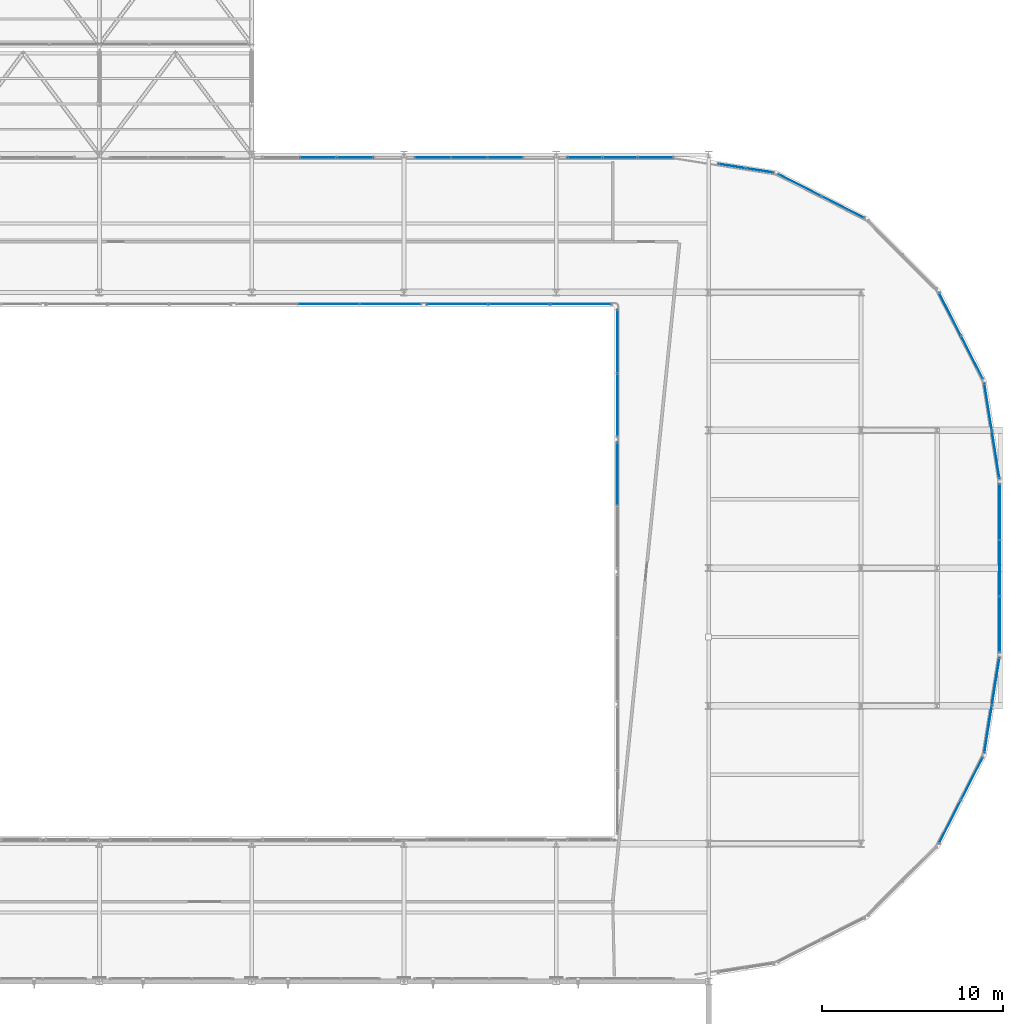
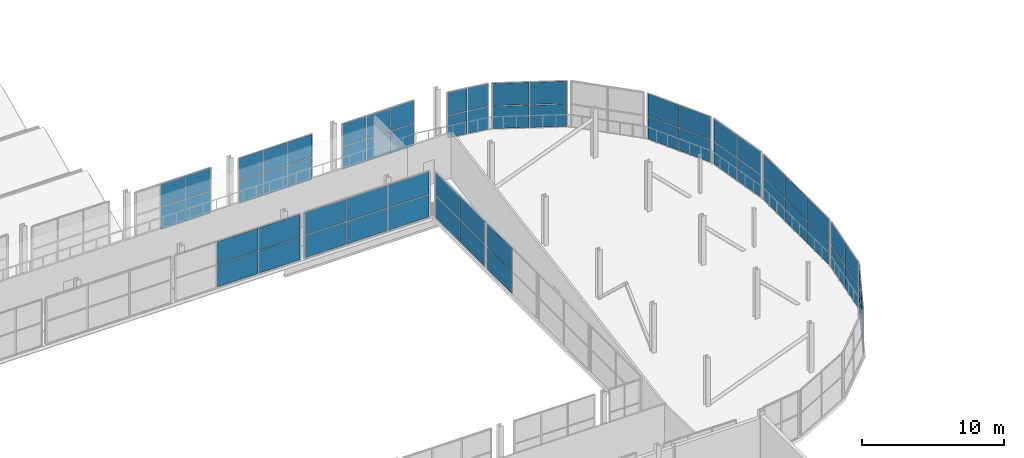
# One storey, part 174 of 217: 62 plates, 14 elements without a shape of their own.
"""IFC4 building model written with IfcOpenShell, lengths in metres."""

from ifc_helpers import new_model, si_unit, direction, frame, origin, origin_2d, place, context, subcontext, project, spatial, rectangle, extrude, material, layer, layer_set, type_object, element, aggregate, save


model = new_model("IFC4")

# Units and contexts
model_context = context("Model", 3, precision=1e-05, world=origin(), true_north=direction((0.0, 1.0)))
body_context = subcontext(model_context, "Body", "Model", "MODEL_VIEW")
ifc_project = project(units=[si_unit("LENGTHUNIT", "METRE"), si_unit("AREAUNIT", "SQUARE_METRE"), si_unit("VOLUMEUNIT", "CUBIC_METRE"), si_unit("PLANEANGLEUNIT", "RADIAN"), si_unit("MASSUNIT", "GRAM", prefix="KILO")], contexts=[model_context])

# Site, building, storey
site_placement = place(None, origin())
site = spatial("IfcSite", under=ifc_project, at=site_placement, CompositionType="ELEMENT")
building_placement = place(site_placement, origin())
building = spatial("IfcBuilding", under=site, at=building_placement, Name="Zuvorla Pavilion Media Centre", CompositionType="ELEMENT")
storey_placement = place(building_placement, frame((0.0, 0.0, 9.60009765625)))
storey = spatial("IfcBuildingStorey", under=building, at=storey_placement, Name="L02", CompositionType="ELEMENT", Elevation=9.60009765625)

# Curtain wall, plates
ifc_material_1 = material(Name="Unitised anodised aluminium and solar glass curtain wall", Category="aluminium")
curtain_wall_type_1 = type_object("IfcCurtainWallType", Name="CW-SYS-04", PredefinedType="USERDEFINED", material=ifc_material_1)
curtain_wall_1_placement = place(storey_placement, origin())
curtain_wall_1 = element("IfcCurtainWall", 1, at=curtain_wall_1_placement, inside=storey, type_object=curtain_wall_type_1, Name="L02 curtain wall CW04 4", ObjectType="CURTAIN WALL", PredefinedType="USERDEFINED")
ifc_material_2 = material(Name="Solar control double glazing", Category="glass")
ifc_layer_1 = layer(ifc_material_2, 0.028076171875)
ifc_layer_set_1 = layer_set([ifc_layer_1], Name="Solar control double glazing")
plate_type_1 = type_object("IfcPlateType", Name="CW-PNL-28", PredefinedType="CURTAIN_PANEL", material=ifc_layer_set_1)
plate_1_placement = place(storey_placement, frame((172.512939453125, 52.80908203125, 0.02978515625), z_axis=(0.0, 0.0, 1.0), x_axis=(0.453985852193, 0.891008892216, 0.0)))
plate_1 = element("IfcPlate", 2, at=plate_1_placement, type_object=plate_type_1, Name="CW04 panel 1.1", PredefinedType="CURTAIN_PANEL", context=body_context, shape_type="SweptSolid", body=[
    extrude(rectangle(XDim=2.595703125, YDim=0.028076171875, at=origin_2d()), origin(), (0.0, 0.0, 1.0), 1.9150390625),
])
plate_2_placement = place(storey_placement, frame((172.512939453125, 52.80908203125, 2.0048828125), z_axis=(0.0, 0.0, 1.0), x_axis=(0.453985852193, 0.891008892216, 0.0)))
plate_2 = element("IfcPlate", 3, at=plate_2_placement, type_object=plate_type_1, Name="CW04 panel 1.2", PredefinedType="CURTAIN_PANEL", context=body_context, shape_type="SweptSolid", body=[
    extrude(rectangle(XDim=2.595703125, YDim=0.028076171875, at=origin_2d()), origin(), (0.0, 0.0, 1.0), 1.9150390625),
])
plate_3_placement = place(storey_placement, frame((173.71875, 55.175537109375, 0.02978515625), z_axis=(0.0, 0.0, 1.0), x_axis=(0.453985852193, 0.891008892216, 0.0)))
plate_3 = element("IfcPlate", 4, at=plate_3_placement, type_object=plate_type_1, Name="CW04 panel 2.1", PredefinedType="CURTAIN_PANEL", context=body_context, shape_type="SweptSolid", body=[
    extrude(rectangle(XDim=2.595703125, YDim=0.028076171875, at=origin_2d()), origin(), (0.0, 0.0, 1.0), 1.9150390625),
])
plate_4_placement = place(storey_placement, frame((173.71875, 55.175537109375, 2.0048828125), z_axis=(0.0, 0.0, 1.0), x_axis=(0.453985852193, 0.891008892216, 0.0)))
plate_4 = element("IfcPlate", 5, at=plate_4_placement, type_object=plate_type_1, Name="CW04 panel 2.2", PredefinedType="CURTAIN_PANEL", context=body_context, shape_type="SweptSolid", body=[
    extrude(rectangle(XDim=2.595703125, YDim=0.028076171875, at=origin_2d()), origin(), (0.0, 0.0, 1.0), 1.9150390625),
])
aggregate(curtain_wall_1, [plate_1, plate_2, plate_3, plate_4])

curtain_wall_2_placement = place(storey_placement, origin())
curtain_wall_2 = element("IfcCurtainWall", 6, at=curtain_wall_2_placement, inside=storey, type_object=curtain_wall_type_1, Name="L02 curtain wall CW04 7", ObjectType="CURTAIN WALL", PredefinedType="USERDEFINED")
plate_5_placement = place(storey_placement, frame((175.029052734375, 73.047607421875, 0.02978515625), z_axis=(0.0, 0.0, 1.0), x_axis=(-0.156428534885, 0.987689279821, 0.0)))
plate_5 = element("IfcPlate", 7, at=plate_5_placement, type_object=plate_type_1, Name="CW04 panel 1.1", PredefinedType="CURTAIN_PANEL", context=body_context, shape_type="SweptSolid", body=[
    extrude(rectangle(XDim=2.595947265625, YDim=0.028076171875, at=origin_2d()), origin(), (0.0, 0.0, 1.0), 1.9150390625),
])
plate_6_placement = place(storey_placement, frame((175.029052734375, 73.047607421875, 2.0048828125), z_axis=(0.0, 0.0, 1.0), x_axis=(-0.156428534885, 0.987689279821, 0.0)))
plate_6 = element("IfcPlate", 8, at=plate_6_placement, type_object=plate_type_1, Name="CW04 panel 1.2", PredefinedType="CURTAIN_PANEL", context=body_context, shape_type="SweptSolid", body=[
    extrude(rectangle(XDim=2.595947265625, YDim=0.028076171875, at=origin_2d()), origin(), (0.0, 0.0, 1.0), 1.9150390625),
])
plate_7_placement = place(storey_placement, frame((174.613525390625, 75.6708984375, 0.02978515625), z_axis=(0.0, 0.0, 1.0), x_axis=(-0.156428534885, 0.987689279821, 0.0)))
plate_7 = element("IfcPlate", 9, at=plate_7_placement, type_object=plate_type_1, Name="CW04 panel 2.1", PredefinedType="CURTAIN_PANEL", context=body_context, shape_type="SweptSolid", body=[
    extrude(rectangle(XDim=2.595947265625, YDim=0.028076171875, at=origin_2d()), origin(), (0.0, 0.0, 1.0), 1.9150390625),
])
plate_8_placement = place(storey_placement, frame((174.613525390625, 75.6708984375, 2.0048828125), z_axis=(0.0, 0.0, 1.0), x_axis=(-0.156428534885, 0.987689279821, 0.0)))
plate_8 = element("IfcPlate", 10, at=plate_8_placement, type_object=plate_type_1, Name="CW04 panel 2.2", PredefinedType="CURTAIN_PANEL", context=body_context, shape_type="SweptSolid", body=[
    extrude(rectangle(XDim=2.595947265625, YDim=0.028076171875, at=origin_2d()), origin(), (0.0, 0.0, 1.0), 1.9150390625),
])
aggregate(curtain_wall_2, [plate_5, plate_6, plate_7, plate_8])

curtain_wall_3_placement = place(storey_placement, origin())
curtain_wall_3 = element("IfcCurtainWall", 11, at=curtain_wall_3_placement, inside=storey, type_object=curtain_wall_type_1, Name="L02 curtain wall CW04 10", ObjectType="CURTAIN WALL", PredefinedType="USERDEFINED")
plate_9_placement = place(storey_placement, frame((166.5908203125, 86.713134765625, 0.02978515625), z_axis=(0.0, 0.0, 1.0), x_axis=(-0.891008892216, 0.453985852193, 0.0)))
plate_9 = element("IfcPlate", 12, at=plate_9_placement, type_object=plate_type_1, Name="CW04 panel 1.1", PredefinedType="CURTAIN_PANEL", context=body_context, shape_type="SweptSolid", body=[
    extrude(rectangle(XDim=2.595703125, YDim=0.028076171875, at=origin_2d()), origin(), (0.0, 0.0, 1.0), 1.9150390625),
])
plate_10_placement = place(storey_placement, frame((166.5908203125, 86.713134765625, 2.0048828125), z_axis=(0.0, 0.0, 1.0), x_axis=(-0.891008892216, 0.453985852193, 0.0)))
plate_10 = element("IfcPlate", 13, at=plate_10_placement, type_object=plate_type_1, Name="CW04 panel 1.2", PredefinedType="CURTAIN_PANEL", context=body_context, shape_type="SweptSolid", body=[
    extrude(rectangle(XDim=2.595703125, YDim=0.028076171875, at=origin_2d()), origin(), (0.0, 0.0, 1.0), 1.9150390625),
])
plate_11_placement = place(storey_placement, frame((164.224365234375, 87.918701171875, 0.02978515625), z_axis=(0.0, 0.0, 1.0), x_axis=(-0.891008892216, 0.453985852193, 0.0)))
plate_11 = element("IfcPlate", 14, at=plate_11_placement, type_object=plate_type_1, Name="CW04 panel 2.1", PredefinedType="CURTAIN_PANEL", context=body_context, shape_type="SweptSolid", body=[
    extrude(rectangle(XDim=2.595703125, YDim=0.028076171875, at=origin_2d()), origin(), (0.0, 0.0, 1.0), 1.9150390625),
])
plate_12_placement = place(storey_placement, frame((164.224365234375, 87.918701171875, 2.0048828125), z_axis=(0.0, 0.0, 1.0), x_axis=(-0.891008892216, 0.453985852193, 0.0)))
plate_12 = element("IfcPlate", 15, at=plate_12_placement, type_object=plate_type_1, Name="CW04 panel 2.2", PredefinedType="CURTAIN_PANEL", context=body_context, shape_type="SweptSolid", body=[
    extrude(rectangle(XDim=2.595703125, YDim=0.028076171875, at=origin_2d()), origin(), (0.0, 0.0, 1.0), 1.9150390625),
])
aggregate(curtain_wall_3, [plate_9, plate_10, plate_11, plate_12])

curtain_wall_type_2 = type_object("IfcCurtainWallType", Name="CW-SYS-07", PredefinedType="USERDEFINED", material=ifc_material_1)
curtain_wall_4_placement = place(storey_placement, origin())
curtain_wall_4 = element("IfcCurtainWall", 16, at=curtain_wall_4_placement, inside=storey, type_object=curtain_wall_type_2, Name="L02 curtain wall CW07 12", ObjectType="CURTAIN WALL", PredefinedType="USERDEFINED")
plate_13_placement = place(storey_placement, frame((156.2666015625, 89.43994140625, 0.02978515625), z_axis=(0.0, 0.0, 1.0), x_axis=(-1.0, 0.0, 0.0)))
plate_13 = element("IfcPlate", 17, at=plate_13_placement, type_object=plate_type_1, Name="CW07 panel 1.1", PredefinedType="CURTAIN_PANEL", context=body_context, shape_type="SweptSolid", body=[
    extrude(rectangle(XDim=1.88671875, YDim=0.028076171875, at=origin_2d()), origin(), (0.0, 0.0, 1.0), 1.9150390625),
])
plate_14_placement = place(storey_placement, frame((156.2666015625, 89.43994140625, 2.0048828125), z_axis=(0.0, 0.0, 1.0), x_axis=(-1.0, 0.0, 0.0)))
plate_14 = element("IfcPlate", 18, at=plate_14_placement, type_object=plate_type_1, Name="CW07 panel 1.2", PredefinedType="CURTAIN_PANEL", context=body_context, shape_type="SweptSolid", body=[
    extrude(rectangle(XDim=1.88671875, YDim=0.028076171875, at=origin_2d()), origin(), (0.0, 0.0, 1.0), 1.9150390625),
])
plate_15_placement = place(storey_placement, frame((154.320068359375, 89.43994140625, 0.02978515625), z_axis=(0.0, 0.0, 1.0), x_axis=(-1.0, 0.0, 0.0)))
plate_15 = element("IfcPlate", 19, at=plate_15_placement, type_object=plate_type_1, Name="CW07 panel 2.1", PredefinedType="CURTAIN_PANEL", context=body_context, shape_type="SweptSolid", body=[
    extrude(rectangle(XDim=1.88671875, YDim=0.028076171875, at=origin_2d()), origin(), (0.0, 0.0, 1.0), 1.9150390625),
])
plate_16_placement = place(storey_placement, frame((154.320068359375, 89.43994140625, 2.0048828125), z_axis=(0.0, 0.0, 1.0), x_axis=(-1.0, 0.0, 0.0)))
plate_16 = element("IfcPlate", 20, at=plate_16_placement, type_object=plate_type_1, Name="CW07 panel 2.2", PredefinedType="CURTAIN_PANEL", context=body_context, shape_type="SweptSolid", body=[
    extrude(rectangle(XDim=1.88671875, YDim=0.028076171875, at=origin_2d()), origin(), (0.0, 0.0, 1.0), 1.9150390625),
])
plate_17_placement = place(storey_placement, frame((152.37353515625, 89.43994140625, 0.02978515625), z_axis=(0.0, 0.0, 1.0), x_axis=(-1.0, 0.0, 0.0)))
plate_17 = element("IfcPlate", 21, at=plate_17_placement, type_object=plate_type_1, Name="CW07 panel 3.1", PredefinedType="CURTAIN_PANEL", context=body_context, shape_type="SweptSolid", body=[
    extrude(rectangle(XDim=1.88671875, YDim=0.028076171875, at=origin_2d()), origin(), (0.0, 0.0, 1.0), 1.9150390625),
])
plate_18_placement = place(storey_placement, frame((152.37353515625, 89.43994140625, 2.0048828125), z_axis=(0.0, 0.0, 1.0), x_axis=(-1.0, 0.0, 0.0)))
plate_18 = element("IfcPlate", 22, at=plate_18_placement, type_object=plate_type_1, Name="CW07 panel 3.2", PredefinedType="CURTAIN_PANEL", context=body_context, shape_type="SweptSolid", body=[
    extrude(rectangle(XDim=1.88671875, YDim=0.028076171875, at=origin_2d()), origin(), (0.0, 0.0, 1.0), 1.9150390625),
])
aggregate(curtain_wall_4, [plate_13, plate_14, plate_15, plate_16, plate_17, plate_18])

curtain_wall_type_3 = type_object("IfcCurtainWallType", Name="CW-SYS-35", PredefinedType="USERDEFINED", material=ifc_material_1)
curtain_wall_5_placement = place(storey_placement, origin())
curtain_wall_5 = element("IfcCurtainWall", 23, at=curtain_wall_5_placement, inside=storey, type_object=curtain_wall_type_3, Name="L02 curtain wall CW35 86", ObjectType="CURTAIN WALL", PredefinedType="USERDEFINED")
plate_19_placement = place(storey_placement, frame((152.143310546875, 81.360107421875, 0.02978515625), z_axis=(0.0, 0.0, 1.0), x_axis=(-1.0, 0.0, 0.0)))
plate_19 = element("IfcPlate", 24, at=plate_19_placement, type_object=plate_type_1, Name="CW35 panel 1.1", PredefinedType="CURTAIN_PANEL", context=body_context, shape_type="SweptSolid", body=[
    extrude(rectangle(XDim=3.333251953125, YDim=0.028076171875, at=origin_2d()), origin(), (0.0, 0.0, 1.0), 1.9150390625),
])
plate_20_placement = place(storey_placement, frame((152.143310546875, 81.360107421875, 2.0048828125), z_axis=(0.0, 0.0, 1.0), x_axis=(-1.0, 0.0, 0.0)))
plate_20 = element("IfcPlate", 25, at=plate_20_placement, type_object=plate_type_1, Name="CW35 panel 1.2", PredefinedType="CURTAIN_PANEL", context=body_context, shape_type="SweptSolid", body=[
    extrude(rectangle(XDim=3.333251953125, YDim=0.028076171875, at=origin_2d()), origin(), (0.0, 0.0, 1.0), 1.9150390625),
])
plate_21_placement = place(storey_placement, frame((148.75, 81.360107421875, 0.02978515625), z_axis=(0.0, 0.0, 1.0), x_axis=(-1.0, 0.0, 0.0)))
plate_21 = element("IfcPlate", 26, at=plate_21_placement, type_object=plate_type_1, Name="CW35 panel 2.1", PredefinedType="CURTAIN_PANEL", context=body_context, shape_type="SweptSolid", body=[
    extrude(rectangle(XDim=3.333251953125, YDim=0.028076171875, at=origin_2d()), origin(), (0.0, 0.0, 1.0), 1.9150390625),
])
plate_22_placement = place(storey_placement, frame((148.75, 81.360107421875, 2.0048828125), z_axis=(0.0, 0.0, 1.0), x_axis=(-1.0, 0.0, 0.0)))
plate_22 = element("IfcPlate", 27, at=plate_22_placement, type_object=plate_type_1, Name="CW35 panel 2.2", PredefinedType="CURTAIN_PANEL", context=body_context, shape_type="SweptSolid", body=[
    extrude(rectangle(XDim=3.333251953125, YDim=0.028076171875, at=origin_2d()), origin(), (0.0, 0.0, 1.0), 1.9150390625),
])
plate_23_placement = place(storey_placement, frame((145.356689453125, 81.360107421875, 0.02978515625), z_axis=(0.0, 0.0, 1.0), x_axis=(-1.0, 0.0, 0.0)))
plate_23 = element("IfcPlate", 28, at=plate_23_placement, type_object=plate_type_1, Name="CW35 panel 3.1", PredefinedType="CURTAIN_PANEL", context=body_context, shape_type="SweptSolid", body=[
    extrude(rectangle(XDim=3.333251953125, YDim=0.028076171875, at=origin_2d()), origin(), (0.0, 0.0, 1.0), 1.9150390625),
])
plate_24_placement = place(storey_placement, frame((145.356689453125, 81.360107421875, 2.0048828125), z_axis=(0.0, 0.0, 1.0), x_axis=(-1.0, 0.0, 0.0)))
plate_24 = element("IfcPlate", 29, at=plate_24_placement, type_object=plate_type_1, Name="CW35 panel 3.2", PredefinedType="CURTAIN_PANEL", context=body_context, shape_type="SweptSolid", body=[
    extrude(rectangle(XDim=3.333251953125, YDim=0.028076171875, at=origin_2d()), origin(), (0.0, 0.0, 1.0), 1.9150390625),
])
aggregate(curtain_wall_5, [plate_19, plate_20, plate_21, plate_22, plate_23, plate_24])

curtain_wall_type_4 = type_object("IfcCurtainWallType", Name="CW-SYS-24", PredefinedType="USERDEFINED", material=ifc_material_1)
curtain_wall_6_placement = place(storey_placement, origin())
curtain_wall_6 = element("IfcCurtainWall", 30, at=curtain_wall_6_placement, inside=storey, type_object=curtain_wall_type_4, Name="L02 curtain wall CW24 94", ObjectType="CURTAIN WALL", PredefinedType="USERDEFINED")
plate_25_placement = place(storey_placement, frame((154.159912109375, 75.804931640625, 0.02978515625), z_axis=(0.0, 0.0, 1.0), x_axis=(0.0, 1.0, 0.0)))
plate_25 = element("IfcPlate", 31, at=plate_25_placement, type_object=plate_type_1, Name="CW24 panel 1.1", PredefinedType="CURTAIN_PANEL", context=body_context, shape_type="SweptSolid", body=[
    extrude(rectangle(XDim=3.429931640625, YDim=0.028076171875, at=origin_2d()), origin(), (0.0, 0.0, 1.0), 1.9150390625),
])
plate_26_placement = place(storey_placement, frame((154.159912109375, 75.804931640625, 2.0048828125), z_axis=(0.0, 0.0, 1.0), x_axis=(0.0, 1.0, 0.0)))
plate_26 = element("IfcPlate", 32, at=plate_26_placement, type_object=plate_type_1, Name="CW24 panel 1.2", PredefinedType="CURTAIN_PANEL", context=body_context, shape_type="SweptSolid", body=[
    extrude(rectangle(XDim=3.429931640625, YDim=0.028076171875, at=origin_2d()), origin(), (0.0, 0.0, 1.0), 1.9150390625),
])
plate_27_placement = place(storey_placement, frame((154.159912109375, 79.294921875, 0.02978515625), z_axis=(0.0, 0.0, 1.0), x_axis=(0.0, 1.0, 0.0)))
plate_27 = element("IfcPlate", 33, at=plate_27_placement, type_object=plate_type_1, Name="CW24 panel 2.1", PredefinedType="CURTAIN_PANEL", context=body_context, shape_type="SweptSolid", body=[
    extrude(rectangle(XDim=3.429931640625, YDim=0.028076171875, at=origin_2d()), origin(), (0.0, 0.0, 1.0), 1.9150390625),
])
plate_28_placement = place(storey_placement, frame((154.159912109375, 79.294921875, 2.0048828125), z_axis=(0.0, 0.0, 1.0), x_axis=(0.0, 1.0, 0.0)))
plate_28 = element("IfcPlate", 34, at=plate_28_placement, type_object=plate_type_1, Name="CW24 panel 2.2", PredefinedType="CURTAIN_PANEL", context=body_context, shape_type="SweptSolid", body=[
    extrude(rectangle(XDim=3.429931640625, YDim=0.028076171875, at=origin_2d()), origin(), (0.0, 0.0, 1.0), 1.9150390625),
])
aggregate(curtain_wall_6, [plate_25, plate_26, plate_27, plate_28])

curtain_wall_type_5 = type_object("IfcCurtainWallType", Name="CW-SYS-02", PredefinedType="USERDEFINED", material=ifc_material_1)
curtain_wall_7_placement = place(storey_placement, origin())
curtain_wall_7 = element("IfcCurtainWall", 35, at=curtain_wall_7_placement, inside=storey, type_object=curtain_wall_type_5, Name="L02 curtain wall CW02 5", ObjectType="CURTAIN WALL", PredefinedType="USERDEFINED")
ifc_material_3 = material(Name="Acoustic laminated solar glazing", Category="glass")
ifc_layer_2 = layer(ifc_material_3, 0.033935546875)
ifc_layer_set_2 = layer_set([ifc_layer_2], Name="Acoustic laminated solar glazing")
plate_type_2 = type_object("IfcPlateType", Name="CW-PNL-34", PredefinedType="CURTAIN_PANEL", material=ifc_layer_set_2)
plate_29_placement = place(storey_placement, frame((174.613525390625, 57.92919921875, 0.02978515625), z_axis=(0.0, 0.0, 1.0), x_axis=(0.156428534885, 0.987689279821, 0.0)))
plate_29 = element("IfcPlate", 36, at=plate_29_placement, type_object=plate_type_2, Name="CW02 panel 1.1", PredefinedType="CURTAIN_PANEL", context=body_context, shape_type="SweptSolid", body=[
    extrude(rectangle(XDim=2.595947265625, YDim=0.033935546875, at=origin_2d()), origin(), (0.0, 0.0, 1.0), 1.9150390625),
])
plate_30_placement = place(storey_placement, frame((174.613525390625, 57.92919921875, 2.0048828125), z_axis=(0.0, 0.0, 1.0), x_axis=(0.156428534885, 0.987689279821, 0.0)))
plate_30 = element("IfcPlate", 37, at=plate_30_placement, type_object=plate_type_2, Name="CW02 panel 1.2", PredefinedType="CURTAIN_PANEL", context=body_context, shape_type="SweptSolid", body=[
    extrude(rectangle(XDim=2.595947265625, YDim=0.033935546875, at=origin_2d()), origin(), (0.0, 0.0, 1.0), 1.9150390625),
])
plate_31_placement = place(storey_placement, frame((175.029052734375, 60.55224609375, 0.02978515625), z_axis=(0.0, 0.0, 1.0), x_axis=(0.156428534885, 0.987689279821, 0.0)))
plate_31 = element("IfcPlate", 38, at=plate_31_placement, type_object=plate_type_2, Name="CW02 panel 2.1", PredefinedType="CURTAIN_PANEL", context=body_context, shape_type="SweptSolid", body=[
    extrude(rectangle(XDim=2.595947265625, YDim=0.033935546875, at=origin_2d()), origin(), (0.0, 0.0, 1.0), 1.9150390625),
])
plate_32_placement = place(storey_placement, frame((175.029052734375, 60.55224609375, 2.0048828125), z_axis=(0.0, 0.0, 1.0), x_axis=(0.156428534885, 0.987689279821, 0.0)))
plate_32 = element("IfcPlate", 39, at=plate_32_placement, type_object=plate_type_2, Name="CW02 panel 2.2", PredefinedType="CURTAIN_PANEL", context=body_context, shape_type="SweptSolid", body=[
    extrude(rectangle(XDim=2.595947265625, YDim=0.033935546875, at=origin_2d()), origin(), (0.0, 0.0, 1.0), 1.9150390625),
])
aggregate(curtain_wall_7, [plate_29, plate_30, plate_31, plate_32])

curtain_wall_8_placement = place(storey_placement, origin())
curtain_wall_8 = element("IfcCurtainWall", 40, at=curtain_wall_8_placement, inside=storey, type_object=curtain_wall_type_5, Name="L02 curtain wall CW02 8", ObjectType="CURTAIN WALL", PredefinedType="USERDEFINED")
plate_33_placement = place(storey_placement, frame((173.71875, 78.424560546875, 0.02978515625), z_axis=(0.0, 0.0, 1.0), x_axis=(-0.453985852193, 0.891008892216, 0.0)))
plate_33 = element("IfcPlate", 41, at=plate_33_placement, type_object=plate_type_2, Name="CW02 panel 1.1", PredefinedType="CURTAIN_PANEL", context=body_context, shape_type="SweptSolid", body=[
    extrude(rectangle(XDim=2.595703125, YDim=0.033935546875, at=origin_2d()), origin(), (0.0, 0.0, 1.0), 1.9150390625),
])
plate_34_placement = place(storey_placement, frame((173.71875, 78.424560546875, 2.0048828125), z_axis=(0.0, 0.0, 1.0), x_axis=(-0.453985852193, 0.891008892216, 0.0)))
plate_34 = element("IfcPlate", 42, at=plate_34_placement, type_object=plate_type_2, Name="CW02 panel 1.2", PredefinedType="CURTAIN_PANEL", context=body_context, shape_type="SweptSolid", body=[
    extrude(rectangle(XDim=2.595703125, YDim=0.033935546875, at=origin_2d()), origin(), (0.0, 0.0, 1.0), 1.9150390625),
])
plate_35_placement = place(storey_placement, frame((172.512939453125, 80.790771484375, 0.02978515625), z_axis=(0.0, 0.0, 1.0), x_axis=(-0.453985852193, 0.891008892216, 0.0)))
plate_35 = element("IfcPlate", 43, at=plate_35_placement, type_object=plate_type_2, Name="CW02 panel 2.1", PredefinedType="CURTAIN_PANEL", context=body_context, shape_type="SweptSolid", body=[
    extrude(rectangle(XDim=2.595703125, YDim=0.033935546875, at=origin_2d()), origin(), (0.0, 0.0, 1.0), 1.9150390625),
])
plate_36_placement = place(storey_placement, frame((172.512939453125, 80.790771484375, 2.0048828125), z_axis=(0.0, 0.0, 1.0), x_axis=(-0.453985852193, 0.891008892216, 0.0)))
plate_36 = element("IfcPlate", 44, at=plate_36_placement, type_object=plate_type_2, Name="CW02 panel 2.2", PredefinedType="CURTAIN_PANEL", context=body_context, shape_type="SweptSolid", body=[
    extrude(rectangle(XDim=2.595703125, YDim=0.033935546875, at=origin_2d()), origin(), (0.0, 0.0, 1.0), 1.9150390625),
])
aggregate(curtain_wall_8, [plate_33, plate_34, plate_35, plate_36])

curtain_wall_type_6 = type_object("IfcCurtainWallType", Name="CW-SYS-06", PredefinedType="USERDEFINED", material=ifc_material_1)
curtain_wall_9_placement = place(storey_placement, origin())
curtain_wall_9 = element("IfcCurtainWall", 45, at=curtain_wall_9_placement, inside=storey, type_object=curtain_wall_type_6, Name="L02 curtain wall CW06 11", ObjectType="CURTAIN WALL", PredefinedType="USERDEFINED")
plate_37_placement = place(storey_placement, frame((162.0185546875, 88.726806640625, 0.02978515625), z_axis=(0.0, 0.0, 1.0), x_axis=(-0.987690520963, 0.156420698118, 0.0)))
plate_37 = element("IfcPlate", 46, at=plate_37_placement, type_object=plate_type_2, Name="CW06 panel 1.1", PredefinedType="CURTAIN_PANEL", context=body_context, shape_type="SweptSolid", body=[
    extrude(rectangle(XDim=1.48681640625, YDim=0.033935546875, at=origin_2d()), origin(), (0.0, 0.0, 1.0), 1.9150390625),
])
plate_38_placement = place(storey_placement, frame((162.0185546875, 88.726806640625, 2.0048828125), z_axis=(0.0, 0.0, 1.0), x_axis=(-0.987690520963, 0.156420698118, 0.0)))
plate_38 = element("IfcPlate", 47, at=plate_38_placement, type_object=plate_type_2, Name="CW06 panel 1.2", PredefinedType="CURTAIN_PANEL", context=body_context, shape_type="SweptSolid", body=[
    extrude(rectangle(XDim=1.48681640625, YDim=0.033935546875, at=origin_2d()), origin(), (0.0, 0.0, 1.0), 1.9150390625),
])
plate_39_placement = place(storey_placement, frame((160.49072265625, 88.96875, 0.02978515625), z_axis=(0.0, 0.0, 1.0), x_axis=(-0.987690520963, 0.156420698118, 0.0)))
plate_39 = element("IfcPlate", 48, at=plate_39_placement, type_object=plate_type_2, Name="CW06 panel 2.1", PredefinedType="CURTAIN_PANEL", context=body_context, shape_type="SweptSolid", body=[
    extrude(rectangle(XDim=1.48681640625, YDim=0.033935546875, at=origin_2d()), origin(), (0.0, 0.0, 1.0), 1.9150390625),
])
plate_40_placement = place(storey_placement, frame((160.49072265625, 88.96875, 2.0048828125), z_axis=(0.0, 0.0, 1.0), x_axis=(-0.987690520963, 0.156420698118, 0.0)))
plate_40 = element("IfcPlate", 49, at=plate_40_placement, type_object=plate_type_2, Name="CW06 panel 2.2", PredefinedType="CURTAIN_PANEL", context=body_context, shape_type="SweptSolid", body=[
    extrude(rectangle(XDim=1.48681640625, YDim=0.033935546875, at=origin_2d()), origin(), (0.0, 0.0, 1.0), 1.9150390625),
])
aggregate(curtain_wall_9, [plate_37, plate_38, plate_39, plate_40])

curtain_wall_type_7 = type_object("IfcCurtainWallType", Name="CW-SYS-08", PredefinedType="USERDEFINED", material=ifc_material_1)
curtain_wall_10_placement = place(storey_placement, origin())
curtain_wall_10 = element("IfcCurtainWall", 50, at=curtain_wall_10_placement, inside=storey, type_object=curtain_wall_type_7, Name="L02 curtain wall CW08 13", ObjectType="CURTAIN WALL", PredefinedType="USERDEFINED")
plate_41_placement = place(storey_placement, frame((147.98583984375, 89.43994140625, 0.02978515625), z_axis=(0.0, 0.0, 1.0), x_axis=(-1.0, 0.0, 0.0)))
plate_41 = element("IfcPlate", 51, at=plate_41_placement, type_object=plate_type_2, Name="CW08 panel 1.1", PredefinedType="CURTAIN_PANEL", context=body_context, shape_type="SweptSolid", body=[
    extrude(rectangle(XDim=1.934326171875, YDim=0.033935546875, at=origin_2d()), origin(), (0.0, 0.0, 1.0), 1.9150390625),
])
plate_42_placement = place(storey_placement, frame((147.98583984375, 89.43994140625, 2.0048828125), z_axis=(0.0, 0.0, 1.0), x_axis=(-1.0, 0.0, 0.0)))
plate_42 = element("IfcPlate", 52, at=plate_42_placement, type_object=plate_type_2, Name="CW08 panel 1.2", PredefinedType="CURTAIN_PANEL", context=body_context, shape_type="SweptSolid", body=[
    extrude(rectangle(XDim=1.934326171875, YDim=0.033935546875, at=origin_2d()), origin(), (0.0, 0.0, 1.0), 1.9150390625),
])
plate_43_placement = place(storey_placement, frame((145.991455078125, 89.43994140625, 0.02978515625), z_axis=(0.0, 0.0, 1.0), x_axis=(-1.0, 0.0, 0.0)))
plate_43 = element("IfcPlate", 53, at=plate_43_placement, type_object=plate_type_2, Name="CW08 panel 2.1", PredefinedType="CURTAIN_PANEL", context=body_context, shape_type="SweptSolid", body=[
    extrude(rectangle(XDim=1.934326171875, YDim=0.033935546875, at=origin_2d()), origin(), (0.0, 0.0, 1.0), 1.9150390625),
])
plate_44_placement = place(storey_placement, frame((145.991455078125, 89.43994140625, 2.0048828125), z_axis=(0.0, 0.0, 1.0), x_axis=(-1.0, 0.0, 0.0)))
plate_44 = element("IfcPlate", 54, at=plate_44_placement, type_object=plate_type_2, Name="CW08 panel 2.2", PredefinedType="CURTAIN_PANEL", context=body_context, shape_type="SweptSolid", body=[
    extrude(rectangle(XDim=1.934326171875, YDim=0.033935546875, at=origin_2d()), origin(), (0.0, 0.0, 1.0), 1.9150390625),
])
plate_45_placement = place(storey_placement, frame((143.997314453125, 89.43994140625, 0.02978515625), z_axis=(0.0, 0.0, 1.0), x_axis=(-1.0, 0.0, 0.0)))
plate_45 = element("IfcPlate", 55, at=plate_45_placement, type_object=plate_type_2, Name="CW08 panel 3.1", PredefinedType="CURTAIN_PANEL", context=body_context, shape_type="SweptSolid", body=[
    extrude(rectangle(XDim=1.934326171875, YDim=0.033935546875, at=origin_2d()), origin(), (0.0, 0.0, 1.0), 1.9150390625),
])
plate_46_placement = place(storey_placement, frame((143.997314453125, 89.43994140625, 2.0048828125), z_axis=(0.0, 0.0, 1.0), x_axis=(-1.0, 0.0, 0.0)))
plate_46 = element("IfcPlate", 56, at=plate_46_placement, type_object=plate_type_2, Name="CW08 panel 3.2", PredefinedType="CURTAIN_PANEL", context=body_context, shape_type="SweptSolid", body=[
    extrude(rectangle(XDim=1.934326171875, YDim=0.033935546875, at=origin_2d()), origin(), (0.0, 0.0, 1.0), 1.9150390625),
])
aggregate(curtain_wall_10, [plate_41, plate_42, plate_43, plate_44, plate_45, plate_46])

curtain_wall_type_8 = type_object("IfcCurtainWallType", Name="CW-SYS-05", PredefinedType="USERDEFINED", material=ifc_material_1)
curtain_wall_11_placement = place(storey_placement, origin())
curtain_wall_11 = element("IfcCurtainWall", 57, at=curtain_wall_11_placement, inside=storey, type_object=curtain_wall_type_8, Name="L02 curtain wall CW05 6", ObjectType="CURTAIN WALL", PredefinedType="USERDEFINED")
ifc_material_4 = material(Name="Triple acoustic broadcast glazing", Category="glass")
ifc_layer_3 = layer(ifc_material_4, 0.0419921875)
ifc_layer_set_3 = layer_set([ifc_layer_3], Name="Triple acoustic broadcast glazing")
plate_type_3 = type_object("IfcPlateType", Name="CW-PNL-42", PredefinedType="CURTAIN_PANEL", material=ifc_layer_set_3)
plate_47_placement = place(storey_placement, frame((175.260009765625, 63.706787109375, 0.02978515625), z_axis=(0.0, 0.0, 1.0), x_axis=(0.0, 1.0, 0.0)))
plate_47 = element("IfcPlate", 58, at=plate_47_placement, type_object=plate_type_3, Name="CW05 panel 1.1", PredefinedType="CURTAIN_PANEL", context=body_context, shape_type="SweptSolid", body=[
    extrude(rectangle(XDim=3.033447265625, YDim=0.0419921875, at=origin_2d()), origin(), (0.0, 0.0, 1.0), 1.9150390625),
])
plate_48_placement = place(storey_placement, frame((175.260009765625, 63.706787109375, 2.0048828125), z_axis=(0.0, 0.0, 1.0), x_axis=(0.0, 1.0, 0.0)))
plate_48 = element("IfcPlate", 59, at=plate_48_placement, type_object=plate_type_3, Name="CW05 panel 1.2", PredefinedType="CURTAIN_PANEL", context=body_context, shape_type="SweptSolid", body=[
    extrude(rectangle(XDim=3.033447265625, YDim=0.0419921875, at=origin_2d()), origin(), (0.0, 0.0, 1.0), 1.9150390625),
])
plate_49_placement = place(storey_placement, frame((175.260009765625, 66.800048828125, 0.02978515625), z_axis=(0.0, 0.0, 1.0), x_axis=(0.0, 1.0, 0.0)))
plate_49 = element("IfcPlate", 60, at=plate_49_placement, type_object=plate_type_3, Name="CW05 panel 2.1", PredefinedType="CURTAIN_PANEL", context=body_context, shape_type="SweptSolid", body=[
    extrude(rectangle(XDim=3.033447265625, YDim=0.0419921875, at=origin_2d()), origin(), (0.0, 0.0, 1.0), 1.9150390625),
])
plate_50_placement = place(storey_placement, frame((175.260009765625, 66.800048828125, 2.0048828125), z_axis=(0.0, 0.0, 1.0), x_axis=(0.0, 1.0, 0.0)))
plate_50 = element("IfcPlate", 61, at=plate_50_placement, type_object=plate_type_3, Name="CW05 panel 2.2", PredefinedType="CURTAIN_PANEL", context=body_context, shape_type="SweptSolid", body=[
    extrude(rectangle(XDim=3.033447265625, YDim=0.0419921875, at=origin_2d()), origin(), (0.0, 0.0, 1.0), 1.9150390625),
])
plate_51_placement = place(storey_placement, frame((175.260009765625, 69.893310546875, 0.02978515625), z_axis=(0.0, 0.0, 1.0), x_axis=(0.0, 1.0, 0.0)))
plate_51 = element("IfcPlate", 62, at=plate_51_placement, type_object=plate_type_3, Name="CW05 panel 3.1", PredefinedType="CURTAIN_PANEL", context=body_context, shape_type="SweptSolid", body=[
    extrude(rectangle(XDim=3.033447265625, YDim=0.0419921875, at=origin_2d()), origin(), (0.0, 0.0, 1.0), 1.9150390625),
])
plate_52_placement = place(storey_placement, frame((175.260009765625, 69.893310546875, 2.0048828125), z_axis=(0.0, 0.0, 1.0), x_axis=(0.0, 1.0, 0.0)))
plate_52 = element("IfcPlate", 63, at=plate_52_placement, type_object=plate_type_3, Name="CW05 panel 3.2", PredefinedType="CURTAIN_PANEL", context=body_context, shape_type="SweptSolid", body=[
    extrude(rectangle(XDim=3.033447265625, YDim=0.0419921875, at=origin_2d()), origin(), (0.0, 0.0, 1.0), 1.9150390625),
])
aggregate(curtain_wall_11, [plate_47, plate_48, plate_49, plate_50, plate_51, plate_52])

curtain_wall_type_9 = type_object("IfcCurtainWallType", Name="CW-SYS-09", PredefinedType="USERDEFINED", material=ifc_material_1)
curtain_wall_12_placement = place(storey_placement, origin())
curtain_wall_12 = element("IfcCurtainWall", 64, at=curtain_wall_12_placement, inside=storey, type_object=curtain_wall_type_9, Name="L02 curtain wall CW09 14", ObjectType="CURTAIN WALL", PredefinedType="USERDEFINED")
plate_53_placement = place(storey_placement, frame((139.704833984375, 89.43994140625, 0.02978515625), z_axis=(0.0, 0.0, 1.0), x_axis=(-1.0, 0.0, 0.0)))
plate_53 = element("IfcPlate", 65, at=plate_53_placement, type_object=plate_type_3, Name="CW09 panel 1.1", PredefinedType="CURTAIN_PANEL", context=body_context, shape_type="SweptSolid", body=[
    extrude(rectangle(XDim=1.98193359375, YDim=0.0419921875, at=origin_2d()), origin(), (0.0, 0.0, 1.0), 1.9150390625),
])
plate_54_placement = place(storey_placement, frame((139.704833984375, 89.43994140625, 2.0048828125), z_axis=(0.0, 0.0, 1.0), x_axis=(-1.0, 0.0, 0.0)))
plate_54 = element("IfcPlate", 66, at=plate_54_placement, type_object=plate_type_3, Name="CW09 panel 1.2", PredefinedType="CURTAIN_PANEL", context=body_context, shape_type="SweptSolid", body=[
    extrude(rectangle(XDim=1.98193359375, YDim=0.0419921875, at=origin_2d()), origin(), (0.0, 0.0, 1.0), 1.9150390625),
])
plate_55_placement = place(storey_placement, frame((137.662841796875, 89.43994140625, 0.02978515625), z_axis=(0.0, 0.0, 1.0), x_axis=(-1.0, 0.0, 0.0)))
plate_55 = element("IfcPlate", 67, at=plate_55_placement, type_object=plate_type_3, Name="CW09 panel 2.1", PredefinedType="CURTAIN_PANEL", context=body_context, shape_type="SweptSolid", body=[
    extrude(rectangle(XDim=1.98193359375, YDim=0.0419921875, at=origin_2d()), origin(), (0.0, 0.0, 1.0), 1.9150390625),
])
plate_56_placement = place(storey_placement, frame((137.662841796875, 89.43994140625, 2.0048828125), z_axis=(0.0, 0.0, 1.0), x_axis=(-1.0, 0.0, 0.0)))
plate_56 = element("IfcPlate", 68, at=plate_56_placement, type_object=plate_type_3, Name="CW09 panel 2.2", PredefinedType="CURTAIN_PANEL", context=body_context, shape_type="SweptSolid", body=[
    extrude(rectangle(XDim=1.98193359375, YDim=0.0419921875, at=origin_2d()), origin(), (0.0, 0.0, 1.0), 1.9150390625),
])
aggregate(curtain_wall_12, [plate_53, plate_54, plate_55, plate_56])

curtain_wall_type_10 = type_object("IfcCurtainWallType", Name="CW-SYS-33", PredefinedType="USERDEFINED", material=ifc_material_1)
curtain_wall_13_placement = place(storey_placement, origin())
curtain_wall_13 = element("IfcCurtainWall", 69, at=curtain_wall_13_placement, inside=storey, type_object=curtain_wall_type_10, Name="L02 curtain wall CW33 83", ObjectType="CURTAIN WALL", PredefinedType="USERDEFINED")
plate_57_placement = place(storey_placement, frame((141.643310546875, 81.360107421875, 0.02978515625), z_axis=(0.0, 0.0, 1.0), x_axis=(-1.0, 0.0, 0.0)))
plate_57 = element("IfcPlate", 70, at=plate_57_placement, type_object=plate_type_3, Name="CW33 panel 1.1", PredefinedType="CURTAIN_PANEL", context=body_context, shape_type="SweptSolid", body=[
    extrude(rectangle(XDim=3.333251953125, YDim=0.0419921875, at=origin_2d()), origin(), (0.0, 0.0, 1.0), 1.9150390625),
])
plate_58_placement = place(storey_placement, frame((141.643310546875, 81.360107421875, 2.0048828125), z_axis=(0.0, 0.0, 1.0), x_axis=(-1.0, 0.0, 0.0)))
plate_58 = element("IfcPlate", 71, at=plate_58_placement, type_object=plate_type_3, Name="CW33 panel 1.2", PredefinedType="CURTAIN_PANEL", context=body_context, shape_type="SweptSolid", body=[
    extrude(rectangle(XDim=3.333251953125, YDim=0.0419921875, at=origin_2d()), origin(), (0.0, 0.0, 1.0), 1.9150390625),
])
plate_59_placement = place(storey_placement, frame((138.25, 81.360107421875, 0.02978515625), z_axis=(0.0, 0.0, 1.0), x_axis=(-1.0, 0.0, 0.0)))
plate_59 = element("IfcPlate", 72, at=plate_59_placement, type_object=plate_type_3, Name="CW33 panel 2.1", PredefinedType="CURTAIN_PANEL", context=body_context, shape_type="SweptSolid", body=[
    extrude(rectangle(XDim=3.333251953125, YDim=0.0419921875, at=origin_2d()), origin(), (0.0, 0.0, 1.0), 1.9150390625),
])
plate_60_placement = place(storey_placement, frame((138.25, 81.360107421875, 2.0048828125), z_axis=(0.0, 0.0, 1.0), x_axis=(-1.0, 0.0, 0.0)))
plate_60 = element("IfcPlate", 73, at=plate_60_placement, type_object=plate_type_3, Name="CW33 panel 2.2", PredefinedType="CURTAIN_PANEL", context=body_context, shape_type="SweptSolid", body=[
    extrude(rectangle(XDim=3.333251953125, YDim=0.0419921875, at=origin_2d()), origin(), (0.0, 0.0, 1.0), 1.9150390625),
])
aggregate(curtain_wall_13, [plate_57, plate_58, plate_59, plate_60])

curtain_wall_type_11 = type_object("IfcCurtainWallType", Name="CW-SYS-57", PredefinedType="USERDEFINED", material=ifc_material_1)
curtain_wall_14_placement = place(storey_placement, origin())
curtain_wall_14 = element("IfcCurtainWall", 74, at=curtain_wall_14_placement, inside=storey, type_object=curtain_wall_type_11, Name="L02 curtain wall CW57 92", ObjectType="CURTAIN WALL", PredefinedType="USERDEFINED")
plate_61_placement = place(storey_placement, frame((154.159912109375, 71.9951171875, 0.02978515625), z_axis=(0.0, 0.0, 1.0), x_axis=(0.0, 1.0, 0.0)))
plate_61 = element("IfcPlate", 75, at=plate_61_placement, type_object=plate_type_3, Name="CW57 panel 2.1", PredefinedType="CURTAIN_PANEL", context=body_context, shape_type="SweptSolid", body=[
    extrude(rectangle(XDim=3.429931640625, YDim=0.0419921875, at=origin_2d()), origin(), (0.0, 0.0, 1.0), 1.9150390625),
])
plate_62_placement = place(storey_placement, frame((154.159912109375, 71.9951171875, 2.0048828125), z_axis=(0.0, 0.0, 1.0), x_axis=(0.0, 1.0, 0.0)))
plate_62 = element("IfcPlate", 76, at=plate_62_placement, type_object=plate_type_3, Name="CW57 panel 2.2", PredefinedType="CURTAIN_PANEL", context=body_context, shape_type="SweptSolid", body=[
    extrude(rectangle(XDim=3.429931640625, YDim=0.0419921875, at=origin_2d()), origin(), (0.0, 0.0, 1.0), 1.9150390625),
])
aggregate(curtain_wall_14, [plate_61, plate_62])

save(model, "model.ifc")
